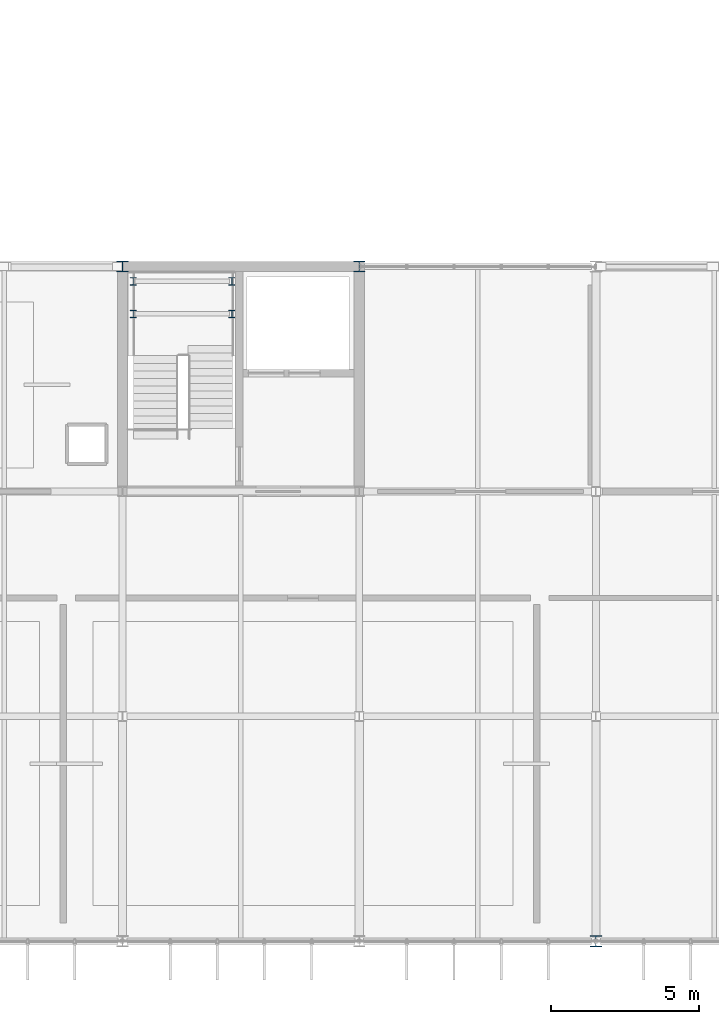
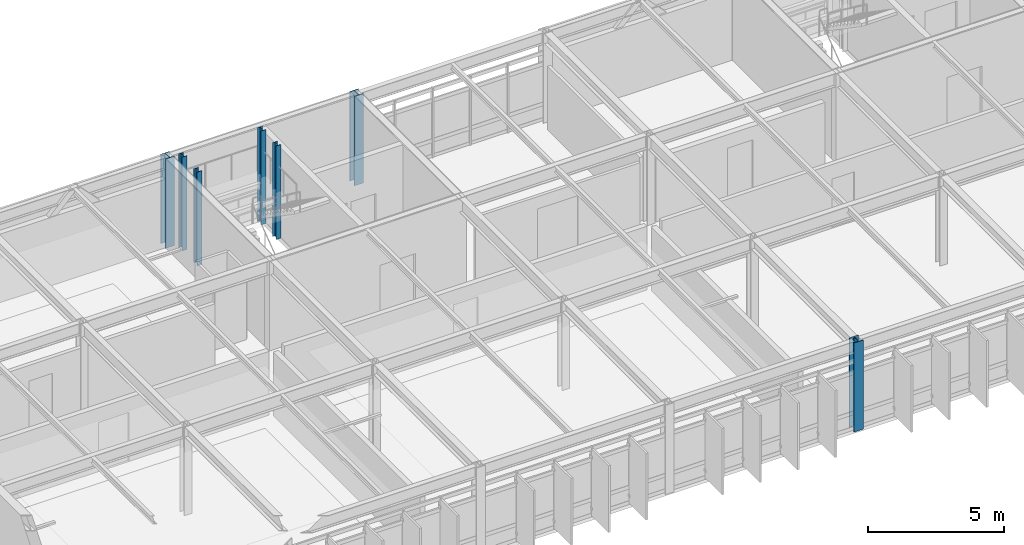
# One storey, part 2 of 85: 7 columns.
"""IFC4 building model written with IfcOpenShell, lengths in metres."""

from ifc_helpers import new_model, si_unit, direction, frame, origin, origin_2d, place, context, subcontext, project, spatial, i_section, extrude, material, material_profile, profile_set, type_object, element, save


model = new_model("IFC4")

# Units and contexts
model_context = context("Model", 3, precision=1e-05, world=origin(), true_north=direction((0.0, 1.0)))
body_context = subcontext(model_context, "Body", "Model", "MODEL_VIEW")
ifc_project = project(units=[si_unit("LENGTHUNIT", "METRE"), si_unit("AREAUNIT", "SQUARE_METRE"), si_unit("VOLUMEUNIT", "CUBIC_METRE"), si_unit("PLANEANGLEUNIT", "RADIAN"), si_unit("MASSUNIT", "GRAM", prefix="KILO")], contexts=[model_context])

# Site, building, storey
site_placement = place(None, origin())
site = spatial("IfcSite", under=ifc_project, at=site_placement, CompositionType="ELEMENT")
building_placement = place(site_placement, origin())
building = spatial("IfcBuilding", under=site, at=building_placement, Name="Zulena Civic Courthouse", CompositionType="ELEMENT")
storey_placement = place(building_placement, frame((0.0, 0.0, 25.199951171875)))
storey = spatial("IfcBuildingStorey", under=building, at=storey_placement, Name="L05", CompositionType="ELEMENT", Elevation=25.199951171875)

# Columns
ifc_material = material(Name="Steel ASTM A992 Grade 50", Category="steel")
ifc_material_profile_1 = material_profile(ifc_material, i_section(OverallWidth=0.2041015625, OverallDepth=0.257080078125, WebThickness=0.0087890625, FlangeThickness=0.015625, FilletRadius=0.0126953125, at=origin_2d()), Name="W10X45")
ifc_profile_set_1 = profile_set([ifc_material_profile_1], Name="Steel ASTM A992 Grade 50")
column_type_1 = type_object("IfcColumnType", Name="Col_W10X45", PredefinedType="COLUMN", material=ifc_profile_set_1)
for number, where, z_axis, x_axis, name in (
    (1, (20.360107421875, 21.199951171875, 0.0), (0.0, 0.0, 1.0), (1.0, 0.0, 0.0), "col:lnd:K2A:L05:0:0"),
    (2, (23.699951171875, 21.199951171875, 0.0), (0.0, 0.0, 1.0), (1.0, 0.0, 0.0), "col:lnd:K2A:L05:0:1"),
    (3, (20.360107421875, 22.300048828125, 0.0), (0.0, 0.0, 1.0), (1.0, 0.0, 0.0), "col:lnd:K2A:L05:1:0"),
    (4, (23.699951171875, 22.300048828125, 0.0), (0.0, 0.0, 1.0), (1.0, 0.0, 0.0), "col:lnd:K2A:L05:1:1"),
):
    element("IfcColumn", number, at=place(storey_placement, frame(where, z_axis=z_axis, x_axis=x_axis)), inside=storey, type_object=column_type_1, Name=name, PredefinedType="COLUMN", context=body_context, shape_type="SweptSolid", body=[
        extrude(i_section(OverallWidth=0.2041015625, OverallDepth=0.257080078125, WebThickness=0.0087890625, FlangeThickness=0.015625, FilletRadius=0.0126953125, at=origin_2d()), origin(), (0.0, 0.0, 1.0), 4.195068359375),
    ])
ifc_material_profile_2 = material_profile(ifc_material, i_section(OverallWidth=0.373046875, OverallDepth=0.367919921875, WebThickness=0.014892578125, FlangeThickness=0.02392578125, FilletRadius=0.01513671875, at=origin_2d()), Name="W14X120")
ifc_profile_set_2 = profile_set([ifc_material_profile_2], Name="Steel ASTM A992 Grade 50")
column_type_2 = type_object("IfcColumnType", Name="Col_W14X120", PredefinedType="COLUMN", material=ifc_profile_set_2)
for number, where, z_axis, x_axis, name in (
    (5, (20.0, 22.800048828125, 0.0), (0.0, 0.0, 1.0), (1.0, 0.0, 0.0), "col:V2:L05:20.0:22.8"),
    (6, (28.0, 22.800048828125, 0.0), (0.0, 0.0, 1.0), (1.0, 0.0, 0.0), "col:V2:L05:28.0:22.8"),
):
    element("IfcColumn", number, at=place(storey_placement, frame(where, z_axis=z_axis, x_axis=x_axis)), inside=storey, type_object=column_type_2, Name=name, PredefinedType="COLUMN", context=body_context, shape_type="SweptSolid", body=[
        extrude(i_section(OverallWidth=0.373046875, OverallDepth=0.367919921875, WebThickness=0.014892578125, FlangeThickness=0.02392578125, FilletRadius=0.01513671875, at=origin_2d()), origin(), (0.0, 0.0, 1.0), 3.9951171875),
    ])
ifc_material_profile_3 = material_profile(ifc_material, i_section(OverallWidth=0.39404296875, OverallDepth=0.3759765625, WebThickness=0.017333984375, FlangeThickness=0.027587890625, FilletRadius=0.01513671875, at=origin_2d()), Name="W14X145")
ifc_profile_set_3 = profile_set([ifc_material_profile_3], Name="Steel ASTM A992 Grade 50")
column_type_3 = type_object("IfcColumnType", Name="Col_W14X145", PredefinedType="COLUMN", material=ifc_profile_set_3)
column_placement = place(storey_placement, frame((36.0, 0.0, 0.0), z_axis=(0.0, 0.0, 1.0), x_axis=(1.0, 0.0, 0.0)))
element("IfcColumn", 7, at=column_placement, inside=storey, type_object=column_type_3, Name="col:V2:L05:36.0:0.0", PredefinedType="COLUMN", context=body_context, shape_type="SweptSolid", body=[
    extrude(i_section(OverallWidth=0.39404296875, OverallDepth=0.3759765625, WebThickness=0.017333984375, FlangeThickness=0.027587890625, FilletRadius=0.01513671875, at=origin_2d()), origin(), (0.0, 0.0, 1.0), 3.9951171875),
])

save(model, "model.ifc")
